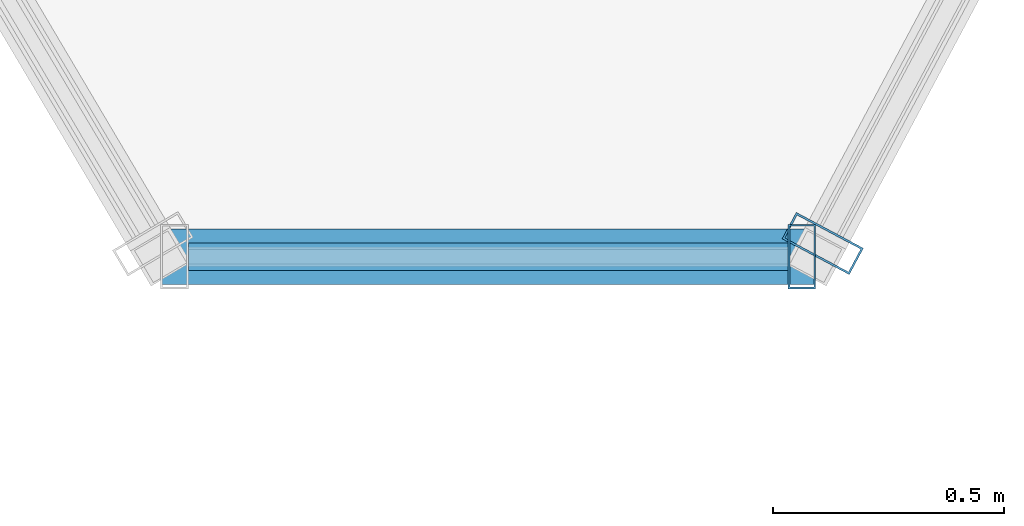
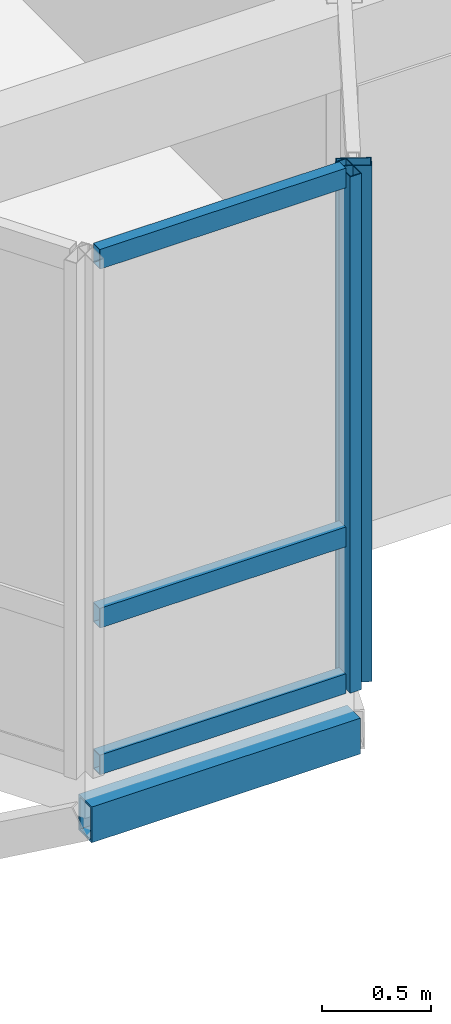
# One storey, part 34 of 70: 6 members, 2 elements without a shape of their own.
"""IFC4 building model written with IfcOpenShell, lengths in metres."""

from ifc_helpers import new_model, si_unit, direction, frame, origin, origin_2d, place, context, subcontext, project, spatial, hollow_rectangle, extrude, material, layer, layer_set, material_profile, profile_set, type_object, element, aggregate, save


model = new_model("IFC4")

# Units and contexts
model_context = context("Model", 3, precision=1e-05, world=origin(), true_north=direction((0.0, 1.0)))
body_context = subcontext(model_context, "Body", "Model", "MODEL_VIEW")
ifc_project = project(units=[si_unit("LENGTHUNIT", "METRE"), si_unit("AREAUNIT", "SQUARE_METRE"), si_unit("VOLUMEUNIT", "CUBIC_METRE"), si_unit("PLANEANGLEUNIT", "RADIAN"), si_unit("MASSUNIT", "GRAM", prefix="KILO"), si_unit("THERMODYNAMICTEMPERATUREUNIT", "KELVIN"), si_unit("POWERUNIT", "WATT")], contexts=[model_context])

# Site, building, storey
site_placement = place(None, origin())
site = spatial("IfcSite", under=ifc_project, at=site_placement, CompositionType="ELEMENT")
building_placement = place(site_placement, origin())
building = spatial("IfcBuilding", under=site, at=building_placement, Name="Tavuni Mirador Residences", CompositionType="ELEMENT")
storey_placement = place(building_placement, frame((0.0, 0.0, 23.39990234375)))
storey = spatial("IfcBuildingStorey", under=building, at=storey_placement, Name="L07", CompositionType="ELEMENT", Elevation=23.39990234375)

# Curtain wall, member
ifc_material_1 = material(Name="Anodised aluminium", Category="aluminium")
ifc_layer_1 = layer(ifc_material_1, 0.175048828125, Name="Anodised aluminium", Category="aluminium")
ifc_layer_set_1 = layer_set([ifc_layer_1], Name="Anodised aluminium")
curtain_wall_type_1 = type_object("IfcCurtainWallType", Name="CWT-MIR-C", PredefinedType="NOTDEFINED", material=ifc_layer_set_1)
curtain_wall_1_placement = place(storey_placement, origin())
curtain_wall_1 = element("IfcCurtainWall", 1, at=curtain_wall_1_placement, inside=storey, type_object=curtain_wall_type_1, Name="CW-MIR-C-S3-L07-MF", PredefinedType="NOTDEFINED")
ifc_material_profile_1 = material_profile(ifc_material_1, hollow_rectangle(XDim=0.06005859375, YDim=0.139892578125, WallThickness=0.00390625, at=origin_2d()), Name="ALU 60x140x4.0", Category="aluminium")
ifc_profile_set_1 = profile_set([ifc_material_profile_1], Name="Anodised aluminium")
member_type_1 = type_object("IfcMemberType", Name="CWM-140", PredefinedType="MULLION", material=ifc_profile_set_1)
member_1_placement = place(storey_placement, frame((49.14990234375, 142.800048828125, 0.0), z_axis=(0.0, 0.0, 1.0), x_axis=(1.0, 0.0, 0.0)))
member_1 = element("IfcMember", 2, at=member_1_placement, type_object=member_type_1, Name="CW-03 mullion 2", PredefinedType="MULLION", context=body_context, shape_type="SweptSolid", body=[
    extrude(hollow_rectangle(XDim=0.06005859375, YDim=0.139892578125, WallThickness=0.00390625, at=origin_2d()), origin(), (0.0, 0.0, 1.0), 2.885009765625),
])

ifc_layer_2 = layer(ifc_material_1, 0.159912109375, Name="Anodised aluminium", Category="aluminium")
ifc_layer_set_2 = layer_set([ifc_layer_2], Name="Anodised aluminium")
curtain_wall_type_2 = type_object("IfcCurtainWallType", Name="CWT-MIR-D", PredefinedType="NOTDEFINED", material=ifc_layer_set_2)
curtain_wall_2_placement = place(storey_placement, origin())
curtain_wall_2 = element("IfcCurtainWall", 3, at=curtain_wall_2_placement, inside=storey, type_object=curtain_wall_type_2, Name="CW-MIR-C-S3-L07-M2", PredefinedType="NOTDEFINED")
ifc_material_profile_2 = material_profile(ifc_material_1, hollow_rectangle(XDim=0.06494140625, YDim=0.1650390625, WallThickness=0.00439453125, at=origin_2d()), Name="ALU 65x165x4.5", Category="aluminium")
ifc_profile_set_2 = profile_set([ifc_material_profile_2], Name="Anodised aluminium")
member_type_2 = type_object("IfcMemberType", Name="CWM-165", PredefinedType="MULLION", material=ifc_profile_set_2)
member_2_placement = place(storey_placement, frame((49.1953125, 142.82861328125, 0.0), z_axis=(0.0, 0.0, 1.0), x_axis=(0.470588235296, 0.882352941175, 0.0)))
member_2 = element("IfcMember", 4, at=member_2_placement, type_object=member_type_2, Name="CW-04 mullion 1", PredefinedType="MULLION", context=body_context, shape_type="SweptSolid", body=[
    extrude(hollow_rectangle(XDim=0.06494140625, YDim=0.1650390625, WallThickness=0.00439453125, at=origin_2d()), origin(), (0.0, 0.0, 1.0), 2.885009765625),
])
aggregate(curtain_wall_2, [member_2])

# Member
ifc_material_profile_3 = material_profile(ifc_material_1, hollow_rectangle(XDim=0.06005859375, YDim=0.110107421875, WallThickness=0.00390625, at=origin_2d()), Name="ALU 60x110x4.0", Category="aluminium")
ifc_profile_set_3 = profile_set([ifc_material_profile_3], Name="Anodised aluminium")
member_type_3 = type_object("IfcMemberType", Name="CWT-110", PredefinedType="USERDEFINED", material=ifc_profile_set_3)
member_3_placement = place(storey_placement, frame((47.820068359375, 142.800048828125, 0.030029296875), z_axis=(1.0, 0.0, 0.0), x_axis=(0.0, 1.0, 0.0)))
member_3 = element("IfcMember", 5, at=member_3_placement, type_object=member_type_3, Name="CW-03 transom 1.1", ObjectType="TRANSOM", PredefinedType="USERDEFINED", context=body_context, shape_type="SweptSolid", body=[
    extrude(hollow_rectangle(XDim=0.06005859375, YDim=0.110107421875, WallThickness=0.00390625, at=origin_2d()), origin(), (0.0, 0.0, 1.0), 1.300048828125),
])

member_4_placement = place(storey_placement, frame((47.820068359375, 142.800048828125, 0.85009765625), z_axis=(1.0, 0.0, 0.0), x_axis=(0.0, 1.0, 0.0)))
member_4 = element("IfcMember", 6, at=member_4_placement, type_object=member_type_3, Name="CW-03 transom 1.2", ObjectType="TRANSOM", PredefinedType="USERDEFINED", context=body_context, shape_type="SweptSolid", body=[
    extrude(hollow_rectangle(XDim=0.06005859375, YDim=0.110107421875, WallThickness=0.00390625, at=origin_2d()), origin(), (0.0, 0.0, 1.0), 1.300048828125),
])

member_5_placement = place(storey_placement, frame((47.820068359375, 142.800048828125, 2.85498046875), z_axis=(1.0, 0.0, 0.0), x_axis=(0.0, 1.0, 0.0)))
member_5 = element("IfcMember", 7, at=member_5_placement, type_object=member_type_3, Name="CW-03 transom 1.3", ObjectType="TRANSOM", PredefinedType="USERDEFINED", context=body_context, shape_type="SweptSolid", body=[
    extrude(hollow_rectangle(XDim=0.06005859375, YDim=0.110107421875, WallThickness=0.00390625, at=origin_2d()), origin(), (0.0, 0.0, 1.0), 1.300048828125),
])

aggregate(curtain_wall_1, [member_1, member_3, member_4, member_5])

ifc_material_2 = material(Name="Structural steel S355", Category="steel")
ifc_material_profile_4 = material_profile(ifc_material_2, hollow_rectangle(XDim=0.1201171875, YDim=0.199951171875, WallThickness=0.010009765625, at=origin_2d()), Name="RHS 200x120x10.0", Category="steel")
ifc_profile_set_4 = profile_set([ifc_material_profile_4], Name="Structural steel S355")
member_type_4 = type_object("IfcMemberType", Name="MT-ST-RHS200", PredefinedType="STRUT", material=ifc_profile_set_4)
member_6_placement = place(storey_placement, frame((47.760009765625, 142.800048828125, -0.264892578125), z_axis=(1.0, 0.0, 0.0), x_axis=(0.0, 1.0, 0.0)))
element("IfcMember", 8, at=member_6_placement, inside=storey, type_object=member_type_4, Name="MRIM-MIR-C-S3-L07", PredefinedType="STRUT", context=body_context, shape_type="SweptSolid", body=[
    extrude(hollow_rectangle(XDim=0.1201171875, YDim=0.199951171875, WallThickness=0.010009765625, at=origin_2d()), origin(), (0.0, 0.0, 1.0), 1.419921875),
])

save(model, "model.ifc")
